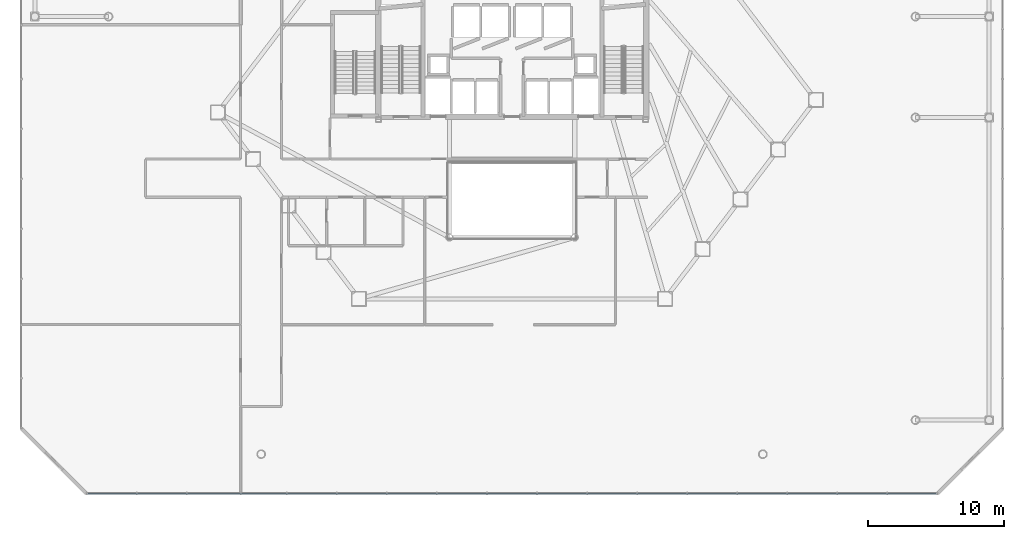
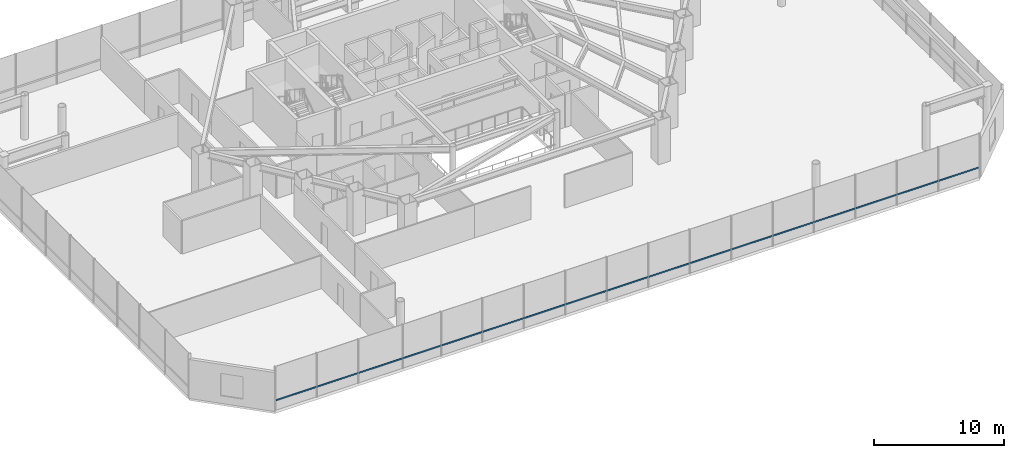
# One storey, part 12 of 37: 1 member, 1 element without a shape of its own.
"""IFC4 building model written with IfcOpenShell, lengths in metres."""

from ifc_helpers import new_model, si_unit, direction, frame, origin, origin_2d, place, context, subcontext, project, spatial, hollow_rectangle, extrude, material, layer, layer_set, material_profile, profile_set, type_object, element, aggregate, save


model = new_model("IFC4")

# Units and contexts
model_context = context("Model", 3, precision=1e-05, world=origin(), true_north=direction((0.0, 1.0)))
body_context = subcontext(model_context, "Body", "Model", "MODEL_VIEW")
ifc_project = project(units=[si_unit("LENGTHUNIT", "METRE"), si_unit("AREAUNIT", "SQUARE_METRE"), si_unit("VOLUMEUNIT", "CUBIC_METRE"), si_unit("PLANEANGLEUNIT", "RADIAN"), si_unit("MASSUNIT", "GRAM", prefix="KILO")], contexts=[model_context])

# Site, building, storey
site_placement = place(None, origin())
site = spatial("IfcSite", under=ifc_project, at=site_placement, CompositionType="ELEMENT")
building_placement = place(site_placement, origin())
building = spatial("IfcBuilding", under=site, at=building_placement, Name="Zarrinselat Tower", CompositionType="ELEMENT")
storey_placement = place(building_placement, frame((0.0, 0.0, 13.93994140625)))
storey = spatial("IfcBuildingStorey", under=building, at=storey_placement, Name="L03", CompositionType="ELEMENT", Elevation=13.93994140625)

# Curtain wall, member
ifc_material_1 = material(Name="Extruded Aluminium Alloy EN AW-6063 T6", Category="aluminium")
ifc_layer = layer(ifc_material_1, 0.2099609375)
ifc_layer_set = layer_set([ifc_layer], Name="Extruded Aluminium Alloy EN AW-6063 T6")
curtain_wall_type = type_object("IfcCurtainWallType", Name="CWS-POD", PredefinedType="NOTDEFINED", material=ifc_layer_set)
curtain_wall_placement = place(storey_placement, origin())
curtain_wall = element("IfcCurtainWall", 1, at=curtain_wall_placement, inside=storey, type_object=curtain_wall_type, Name="L03 Unitised Curtain Wall CW-L03-F1", PredefinedType="NOTDEFINED")
ifc_material_2 = material(Name="Extruded Aluminium Alloy EN AW-6063 T6", Category="aluminium")
ifc_material_profile = material_profile(ifc_material_2, hollow_rectangle(XDim=0.06005859375, YDim=0.139892578125, WallThickness=0.00390625, at=origin_2d()), Name="RHS 140x60x4")
ifc_profile_set = profile_set([ifc_material_profile], Name="Extruded Aluminium Alloy EN AW-6063 T6")
member_type = type_object("IfcMemberType", Name="MEM-CW-TRN", PredefinedType="USERDEFINED", material=ifc_profile_set)
member_placement = place(storey_placement, frame((7.2900390625, 5.60009765625, 0.949951171875), z_axis=(1.0, 0.0, 0.0), x_axis=(0.0, 1.0, 0.0)))
member = element("IfcMember", 2, at=member_placement, type_object=member_type, Name="CW-L03-F1 Transom 1", ObjectType="TRANSOM", PredefinedType="USERDEFINED", context=body_context, shape_type="SweptSolid", body=[
    extrude(hollow_rectangle(XDim=0.06005859375, YDim=0.139892578125, WallThickness=0.00390625, at=origin_2d()), origin(), (0.0, 0.0, 1.0), 62.219970703125),
])
aggregate(curtain_wall, [member])

save(model, "model.ifc")
